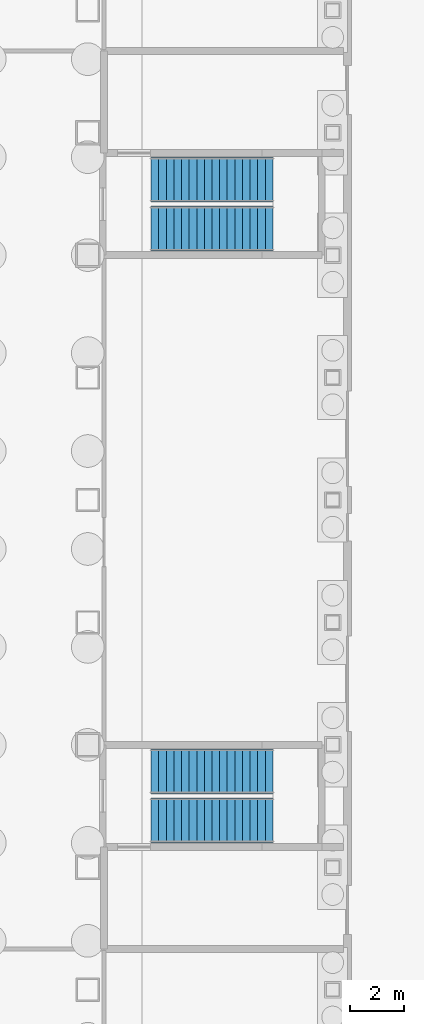
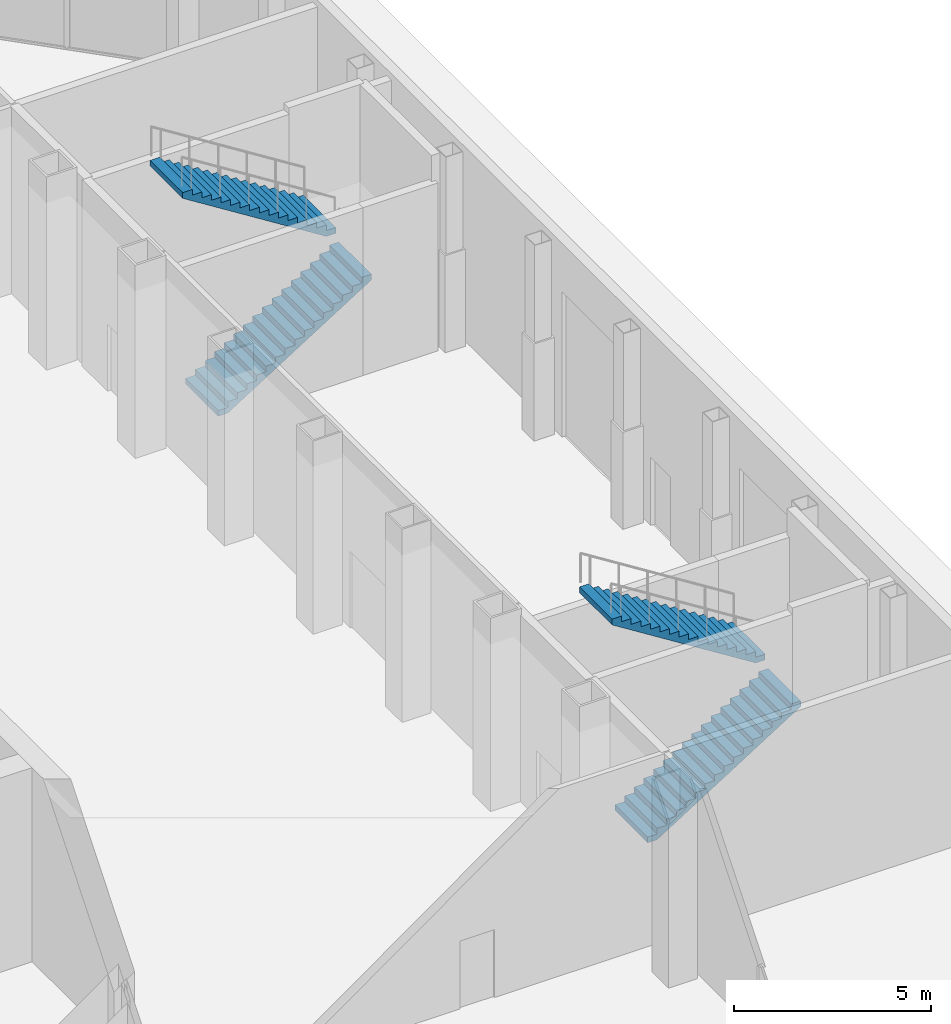
# One storey, part 20 of 24: 4 stair flights, 2 elements without a shape of their own.
"""IFC4 building model written with IfcOpenShell, lengths in metres."""

from ifc_helpers import new_model, si_unit, direction, frame, origin, place, context, subcontext, project, spatial, polyline, outline, extrude, material, type_object, element, aggregate, save


model = new_model("IFC4")

# Units and contexts
model_context = context("Model", 3, precision=1e-05, world=origin(), true_north=direction((0.0, 1.0)))
body_context = subcontext(model_context, "Body", "Model", "MODEL_VIEW")
ifc_project = project(units=[si_unit("LENGTHUNIT", "METRE"), si_unit("AREAUNIT", "SQUARE_METRE"), si_unit("VOLUMEUNIT", "CUBIC_METRE"), si_unit("PLANEANGLEUNIT", "RADIAN"), si_unit("MASSUNIT", "GRAM", prefix="KILO")], contexts=[model_context])

# Site, building, storey
site_placement = place(None, origin())
site = spatial("IfcSite", under=ifc_project, at=site_placement, CompositionType="ELEMENT")
building_placement = place(site_placement, origin())
building = spatial("IfcBuilding", under=site, at=building_placement, Name="Corais Broadcast Tower", CompositionType="ELEMENT")
storey_placement = place(building_placement, origin())
storey = spatial("IfcBuildingStorey", under=building, at=storey_placement, Name="L00", CompositionType="ELEMENT", Elevation=0.0)

# Stair, stair flights
ifc_material_1 = material(Name="Concrete C30/37", Category="concrete")
stair_type = type_object("IfcStairType", Name="Podium half-turn stair 6000", PredefinedType="HALF_TURN_STAIR", material=ifc_material_1)
stair_1_placement = place(storey_placement, origin())
stair_1 = element("IfcStair", 1, at=stair_1_placement, inside=storey, type_object=stair_type, Name="Stair D L00", PredefinedType="HALF_TURN_STAIR")
ifc_material_2 = material(Name="Concrete C30/37", Category="concrete")
stair_flight_type = type_object("IfcStairFlightType", Name="Podium stair flight 6000", PredefinedType="STRAIGHT", material=ifc_material_2)
stair_flight_1_placement = place(storey_placement, frame((56.324951171875, 15.22509765625, 0.0), z_axis=(0.0, 0.0, 1.0), x_axis=(1.0, 0.0, 0.0)))
stair_flight_1 = element("IfcStairFlight", 2, at=stair_flight_1_placement, type_object=stair_flight_type, Name="STD flight 1", NumberOfRisers=17, NumberOfTreads=16, PredefinedType="STRAIGHT", RiserHeight=0.176470588, TreadLength=0.28, context=body_context, shape_type="SweptSolid", body=[
    extrude(outline(polyline([(0.0, 0.0), (0.0, 0.176513671875), (0.280029296875, 0.176513671875), (0.280029296875, 0.35302734375), (0.56005859375, 0.35302734375), (0.56005859375, 0.529296875), (0.840087890625, 0.529296875), (0.840087890625, 0.705810546875), (1.1201171875, 0.705810546875), (1.1201171875, 0.88232421875), (1.39990234375, 0.88232421875), (1.39990234375, 1.058837890625), (1.679931640625, 1.058837890625), (1.679931640625, 1.2353515625), (1.9599609375, 1.2353515625), (1.9599609375, 1.411865234375), (2.239990234375, 1.411865234375), (2.239990234375, 1.588134765625), (2.52001953125, 1.588134765625), (2.52001953125, 1.7646484375), (2.800048828125, 1.7646484375), (2.800048828125, 1.941162109375), (3.080078125, 1.941162109375), (3.080078125, 2.11767578125), (3.360107421875, 2.11767578125), (3.360107421875, 2.294189453125), (3.639892578125, 2.294189453125), (3.639892578125, 2.470703125), (3.919921875, 2.470703125), (3.919921875, 2.64697265625), (4.199951171875, 2.64697265625), (4.199951171875, 2.823486328125), (4.47998046875, 2.823486328125), (4.47998046875, 3.0), (4.47998046875, 2.646240234375), (0.28125, 0.0), (0.0, 0.0)])), frame((0.0, 0.824951171875, 0.0), z_axis=(0.0, -1.0, 0.0), x_axis=(1.0, 0.0, 0.0)), (0.0, 0.0, 1.0), 1.64990234375),
])
stair_flight_2_placement = place(storey_placement, frame((60.804931640625, 17.02490234375, 3.0), z_axis=(0.0, 0.0, 1.0), x_axis=(-1.0, 0.0, 0.0)))
stair_flight_2 = element("IfcStairFlight", 3, at=stair_flight_2_placement, type_object=stair_flight_type, Name="STD flight 2", NumberOfRisers=17, NumberOfTreads=16, PredefinedType="STRAIGHT", RiserHeight=0.176470588, TreadLength=0.28, context=body_context, shape_type="SweptSolid", body=[
    extrude(outline(polyline([(0.0, 0.0), (0.0, 0.176513671875), (0.280029296875, 0.176513671875), (0.280029296875, 0.35302734375), (0.56005859375, 0.35302734375), (0.56005859375, 0.529296875), (0.840087890625, 0.529296875), (0.840087890625, 0.705810546875), (1.1201171875, 0.705810546875), (1.1201171875, 0.88232421875), (1.39990234375, 0.88232421875), (1.39990234375, 1.058837890625), (1.679931640625, 1.058837890625), (1.679931640625, 1.2353515625), (1.9599609375, 1.2353515625), (1.9599609375, 1.411865234375), (2.239990234375, 1.411865234375), (2.239990234375, 1.588134765625), (2.52001953125, 1.588134765625), (2.52001953125, 1.7646484375), (2.800048828125, 1.7646484375), (2.800048828125, 1.941162109375), (3.080078125, 1.941162109375), (3.080078125, 2.11767578125), (3.360107421875, 2.11767578125), (3.360107421875, 2.294189453125), (3.639892578125, 2.294189453125), (3.639892578125, 2.470703125), (3.919921875, 2.470703125), (3.919921875, 2.64697265625), (4.199951171875, 2.64697265625), (4.199951171875, 2.823486328125), (4.47998046875, 2.823486328125), (4.47998046875, 3.0), (4.47998046875, 2.646240234375), (0.28125, 0.0), (0.0, 0.0)])), frame((0.0, 0.824951171875, 0.0), z_axis=(0.0, -1.0, 0.0), x_axis=(1.0, 0.0, 0.0)), (0.0, 0.0, 1.0), 1.64990234375),
])
aggregate(stair_1, [stair_flight_1, stair_flight_2])

stair_2_placement = place(storey_placement, origin())
stair_2 = element("IfcStair", 4, at=stair_2_placement, inside=storey, type_object=stair_type, Name="Stair E L00", PredefinedType="HALF_TURN_STAIR")
stair_flight_3_placement = place(storey_placement, frame((56.324951171875, 36.97509765625, 0.0), z_axis=(0.0, 0.0, 1.0), x_axis=(1.0, 0.0, 0.0)))
stair_flight_3 = element("IfcStairFlight", 5, at=stair_flight_3_placement, type_object=stair_flight_type, Name="STE flight 1", NumberOfRisers=17, NumberOfTreads=16, PredefinedType="STRAIGHT", RiserHeight=0.176470588, TreadLength=0.28, context=body_context, shape_type="SweptSolid", body=[
    extrude(outline(polyline([(0.0, 0.0), (0.0, 0.176513671875), (0.280029296875, 0.176513671875), (0.280029296875, 0.35302734375), (0.56005859375, 0.35302734375), (0.56005859375, 0.529296875), (0.840087890625, 0.529296875), (0.840087890625, 0.705810546875), (1.1201171875, 0.705810546875), (1.1201171875, 0.88232421875), (1.39990234375, 0.88232421875), (1.39990234375, 1.058837890625), (1.679931640625, 1.058837890625), (1.679931640625, 1.2353515625), (1.9599609375, 1.2353515625), (1.9599609375, 1.411865234375), (2.239990234375, 1.411865234375), (2.239990234375, 1.588134765625), (2.52001953125, 1.588134765625), (2.52001953125, 1.7646484375), (2.800048828125, 1.7646484375), (2.800048828125, 1.941162109375), (3.080078125, 1.941162109375), (3.080078125, 2.11767578125), (3.360107421875, 2.11767578125), (3.360107421875, 2.294189453125), (3.639892578125, 2.294189453125), (3.639892578125, 2.470703125), (3.919921875, 2.470703125), (3.919921875, 2.64697265625), (4.199951171875, 2.64697265625), (4.199951171875, 2.823486328125), (4.47998046875, 2.823486328125), (4.47998046875, 3.0), (4.47998046875, 2.646240234375), (0.28125, 0.0), (0.0, 0.0)])), frame((0.0, 0.824951171875, 0.0), z_axis=(0.0, -1.0, 0.0), x_axis=(1.0, 0.0, 0.0)), (0.0, 0.0, 1.0), 1.64990234375),
])
stair_flight_4_placement = place(storey_placement, frame((60.804931640625, 38.77490234375, 3.0), z_axis=(0.0, 0.0, 1.0), x_axis=(-1.0, 0.0, 0.0)))
stair_flight_4 = element("IfcStairFlight", 6, at=stair_flight_4_placement, type_object=stair_flight_type, Name="STE flight 2", NumberOfRisers=17, NumberOfTreads=16, PredefinedType="STRAIGHT", RiserHeight=0.176470588, TreadLength=0.28, context=body_context, shape_type="SweptSolid", body=[
    extrude(outline(polyline([(0.0, 0.0), (0.0, 0.176513671875), (0.280029296875, 0.176513671875), (0.280029296875, 0.35302734375), (0.56005859375, 0.35302734375), (0.56005859375, 0.529296875), (0.840087890625, 0.529296875), (0.840087890625, 0.705810546875), (1.1201171875, 0.705810546875), (1.1201171875, 0.88232421875), (1.39990234375, 0.88232421875), (1.39990234375, 1.058837890625), (1.679931640625, 1.058837890625), (1.679931640625, 1.2353515625), (1.9599609375, 1.2353515625), (1.9599609375, 1.411865234375), (2.239990234375, 1.411865234375), (2.239990234375, 1.588134765625), (2.52001953125, 1.588134765625), (2.52001953125, 1.7646484375), (2.800048828125, 1.7646484375), (2.800048828125, 1.941162109375), (3.080078125, 1.941162109375), (3.080078125, 2.11767578125), (3.360107421875, 2.11767578125), (3.360107421875, 2.294189453125), (3.639892578125, 2.294189453125), (3.639892578125, 2.470703125), (3.919921875, 2.470703125), (3.919921875, 2.64697265625), (4.199951171875, 2.64697265625), (4.199951171875, 2.823486328125), (4.47998046875, 2.823486328125), (4.47998046875, 3.0), (4.47998046875, 2.646240234375), (0.28125, 0.0), (0.0, 0.0)])), frame((0.0, 0.824951171875, 0.0), z_axis=(0.0, -1.0, 0.0), x_axis=(1.0, 0.0, 0.0)), (0.0, 0.0, 1.0), 1.64990234375),
])
aggregate(stair_2, [stair_flight_3, stair_flight_4])

save(model, "model.ifc")
